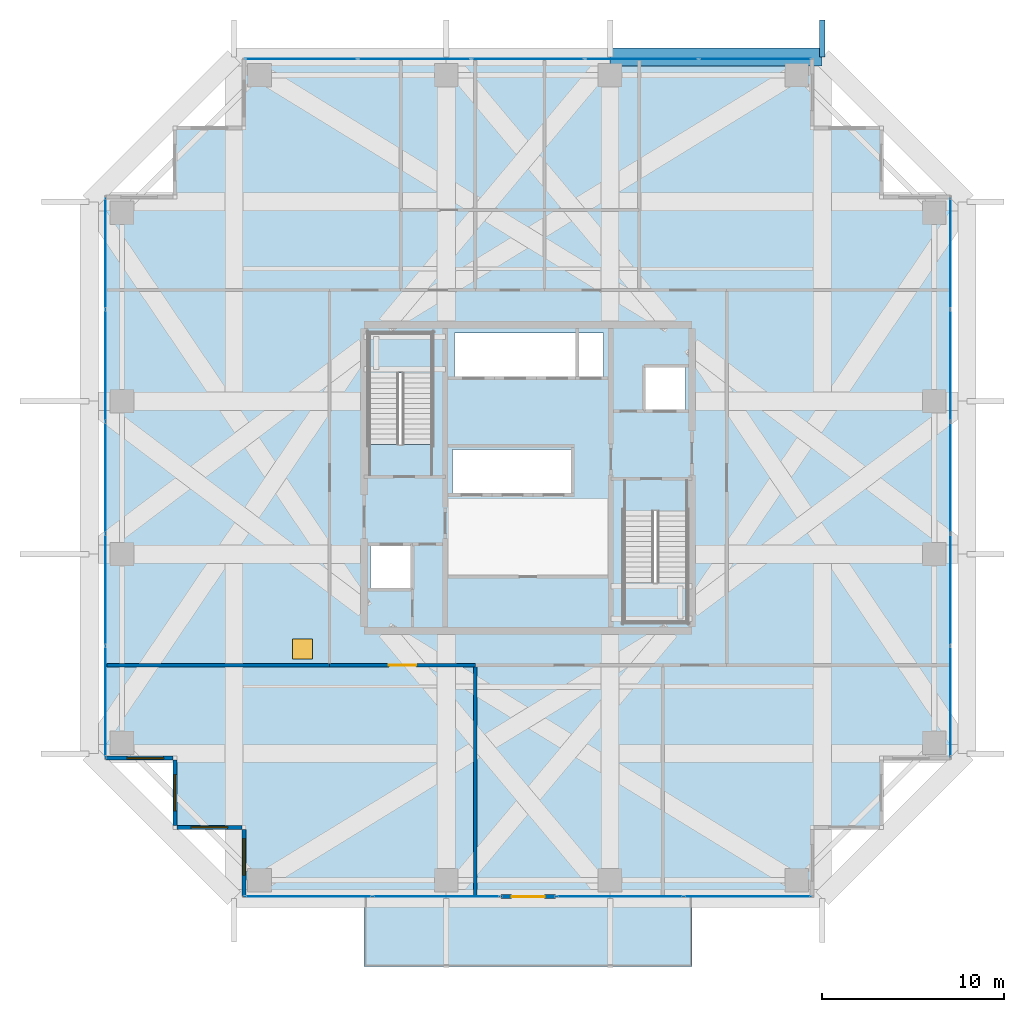
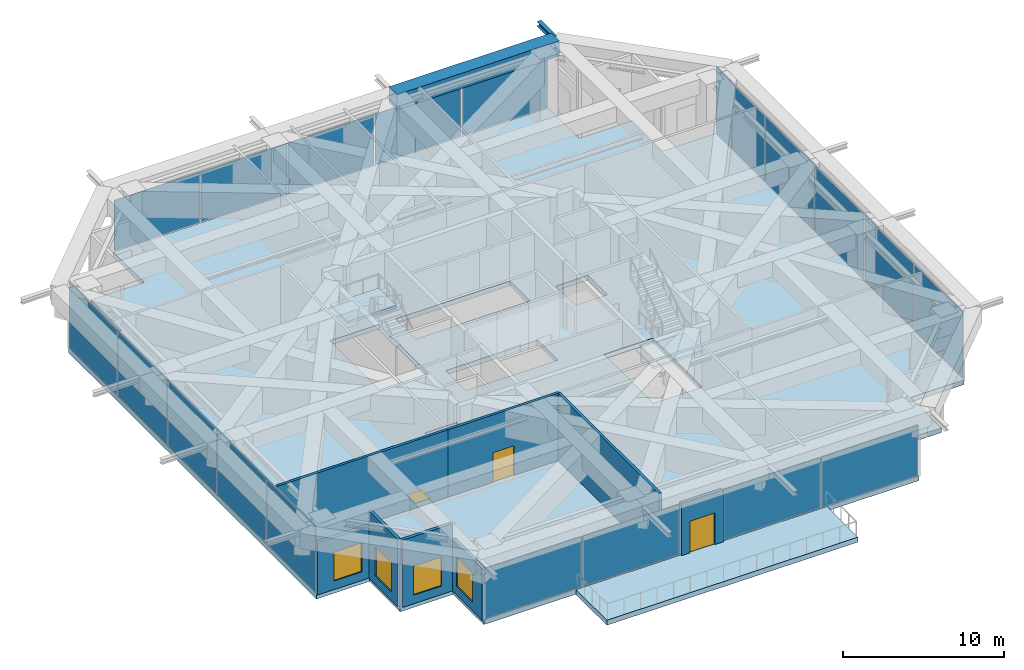
"""IFC4 building model written with IfcOpenShell, lengths in metres."""

from ifc_helpers import new_model, si_unit, direction, frame, frame_2d, origin, origin_2d, place, context, subcontext, project, spatial, polyline, rectangle, i_section, outline, extrude, source, transform, mapped, material, layer, layer_set, material_profile, profile_set, type_object, element, fill, aggregate, save


model = new_model("IFC4")

# Units and contexts
model_context = context("Model", 3, precision=1e-05, world=origin(), true_north=direction((0.0, 1.0)))
body_context = subcontext(model_context, "Body", "Model", "MODEL_VIEW")
ifc_project = project(units=[si_unit("LENGTHUNIT", "METRE"), si_unit("AREAUNIT", "SQUARE_METRE"), si_unit("VOLUMEUNIT", "CUBIC_METRE"), si_unit("PLANEANGLEUNIT", "RADIAN"), si_unit("MASSUNIT", "GRAM", prefix="KILO")], contexts=[model_context])

# Site, building, storey
site_placement = place(None, origin())
site = spatial("IfcSite", under=ifc_project, at=site_placement, CompositionType="ELEMENT")
building_placement = place(site_placement, origin())
building = spatial("IfcBuilding", under=site, at=building_placement, Name="Serunith Strait Residences", CompositionType="ELEMENT")
storey_1_placement = place(building_placement, frame((0.0, 0.0, 204.89990234375)))
storey_1 = spatial("IfcBuildingStorey", under=building, at=storey_1_placement, Name="L51", CompositionType="ELEMENT", Elevation=204.89990234375)

# Beams
ifc_material_1 = material(Name="Steel S355J2", Category="steel")
ifc_material_profile_1 = material_profile(ifc_material_1, i_section(OverallWidth=0.300048828125, OverallDepth=0.360107421875, WebThickness=0.012451171875, FlangeThickness=0.0224609375, FilletRadius=0.027099609375, at=origin_2d()), Name="HEB 360")
ifc_profile_set_1 = profile_set([ifc_material_profile_1], Name="Steel S355J2")
beam_type_1 = type_object("IfcBeamType", Name="BM-HEB360", PredefinedType="BEAM", material=ifc_profile_set_1)
shared_shape_1 = source(origin(), body_context, "Body", "SweptSolid", [
    extrude(i_section(OverallWidth=0.300048828125, OverallDepth=0.360107421875, WebThickness=0.012451171875, FlangeThickness=0.0224609375, FilletRadius=0.027099609375, at=origin_2d()), origin(), (0.0, 0.0, 1.0), 2.030029296875),
])
beam_1_placement = place(storey_1_placement, frame((48.550048828125, 48.300048828125, 4.927001953125), z_axis=(0.0, 1.0, 0.0), x_axis=(-1.0, 0.0, 0.0)))
element("IfcBeam", 1, at=beam_1_placement, inside=storey_1, type_object=beam_type_1, Name="L52 Cantilevered Balcony Rib TC-N4", PredefinedType="BEAM", context=body_context, shape_type="MappedRepresentation", body=[
    mapped(shared_shape_1, transform((0.0, 0.0, 0.0), scale=1.0)),
])
ifc_material_2 = material(Name="Concrete C80/95", Category="concrete")
ifc_material_profile_2 = material_profile(ifc_material_2, rectangle(XDim=1.0, YDim=1.14990234375, at=origin_2d()), Name="RC 1000x1150")
ifc_profile_set_2 = profile_set([ifc_material_profile_2], Name="Concrete C80/95")
beam_type_2 = type_object("IfcBeamType", Name="BM-XFER-1000x1150", PredefinedType="BEAM", material=ifc_profile_set_2)
shared_shape_2 = source(origin(), body_context, "Body", "SweptSolid", [
    extrude(rectangle(XDim=1.0, YDim=1.14990234375, at=origin_2d()), origin(), (0.0, 0.0, 1.0), 11.650146484375),
])
beam_2_placement = place(storey_1_placement, frame((48.550048828125, 48.300048828125, 4.53515625), z_axis=(-1.0, 0.0, 0.0), x_axis=(0.0, -1.0, 0.0)))
element("IfcBeam", 2, at=beam_2_placement, inside=storey_1, type_object=beam_type_2, Name="L51 Flare Upper Ring Transfer Girder 09", PredefinedType="BEAM", context=body_context, shape_type="MappedRepresentation", body=[
    mapped(shared_shape_2, transform((0.0, 0.0, 0.0), scale=1.0)),
])

# Stair, slab
ifc_material_3 = material(Name="Concrete C50/60", Category="concrete")
stair_type_1 = type_object("IfcStairType", Name="STR-CORE-1", PredefinedType="HALF_TURN_STAIR", material=ifc_material_3)
stair_1_placement = place(storey_1_placement, origin())
stair_1 = element("IfcStair", 3, at=stair_1_placement, inside=storey_1, type_object=stair_type_1, Name="L51 Protected Escape Stair ST-1", PredefinedType="HALF_TURN_STAIR")
ifc_layer_1 = layer(ifc_material_3, 0.199951171875, Name="Concrete C50/60")
ifc_layer_set_1 = layer_set([ifc_layer_1], Name="Concrete C50/60")
slab_type_1 = type_object("IfcSlabType", Name="SLB-LAND-200", PredefinedType="LANDING", material=ifc_layer_set_1)
slab_1_placement = place(storey_1_placement, frame((0.0, 0.0, 2.5751953125)))
slab_1 = element("IfcSlab", 4, at=slab_1_placement, type_object=slab_type_1, Name="ST-1 landing 1", PredefinedType="LANDING", context=body_context, shape_type="SweptSolid", body=[
    extrude(outline(polyline([(27.14990234375, 30.949951171875), (27.14990234375, 33.14990234375), (23.64990234375, 33.14990234375), (23.64990234375, 30.949951171875), (27.14990234375, 30.949951171875)])), origin(), (0.0, 0.0, 1.0), 0.199951171875),
])
aggregate(stair_1, [slab_1])

stair_type_2 = type_object("IfcStairType", Name="STR-CORE-2", PredefinedType="HALF_TURN_STAIR", material=ifc_material_3)
stair_2_placement = place(storey_1_placement, origin())
stair_2 = element("IfcStair", 5, at=stair_2_placement, inside=storey_1, type_object=stair_type_2, Name="L51 Protected Escape Stair ST-2", PredefinedType="HALF_TURN_STAIR")
slab_2_placement = place(storey_1_placement, frame((0.0, 0.0, 2.5751953125)))
slab_2 = element("IfcSlab", 6, at=slab_2_placement, type_object=slab_type_1, Name="ST-2 landing 1", PredefinedType="LANDING", context=body_context, shape_type="SweptSolid", body=[
    extrude(outline(polyline([(37.64990234375, 19.449951171875), (37.64990234375, 17.25), (41.14990234375, 17.25), (41.14990234375, 19.449951171875), (37.64990234375, 19.449951171875)])), origin(), (0.0, 0.0, 1.0), 0.199951171875),
])
aggregate(stair_2, [slab_2])

# Slab, opening
ifc_material_4 = material(Name="Concrete C70/85", Category="concrete")
ifc_layer_2 = layer(ifc_material_4, 0.360107421875, Name="Concrete C70/85")
ifc_layer_set_2 = layer_set([ifc_layer_2], Name="Concrete C70/85")
slab_type_2 = type_object("IfcSlabType", Name="SLB-PLT-360", PredefinedType="FLOOR", material=ifc_layer_set_2)
slab_3_placement = place(storey_1_placement, frame((0.0, 0.0, -0.35986328125)))
slab_3 = element("IfcSlab", 7, at=slab_3_placement, inside=storey_1, type_object=slab_type_2, Name="L51 Structural Floor Plate", PredefinedType="FLOOR", context=body_context, shape_type="SweptSolid", body=[
    extrude(outline(polyline([(16.800048828125, 6.0), (13.0, 6.0), (13.0, 9.800048828125), (9.199951171875, 9.800048828125), (9.199951171875, 40.60009765625), (13.0, 40.60009765625), (13.0, 44.39990234375), (16.800048828125, 44.39990234375), (16.800048828125, 48.199951171875), (48.0, 48.199951171875), (48.0, 44.39990234375), (51.800048828125, 44.39990234375), (51.800048828125, 40.60009765625), (55.60009765625, 40.60009765625), (55.60009765625, 9.800048828125), (51.800048828125, 9.800048828125), (51.800048828125, 6.0), (48.0, 6.0), (48.0, 2.199951171875), (16.800048828125, 2.199951171875), (16.800048828125, 6.0)]), holes=[polyline([(41.14990234375, 23.3701171875), (37.64990234375, 23.3701171875), (37.64990234375, 17.25), (41.14990234375, 17.25), (41.14990234375, 23.3701171875)]), polyline([(38.75, 31.25), (38.75, 28.85009765625), (41.050048828125, 28.85009765625), (41.050048828125, 31.25), (38.75, 31.25)]), polyline([(36.550048828125, 33.14990234375), (28.35009765625, 33.14990234375), (28.35009765625, 30.64990234375), (36.550048828125, 30.64990234375), (36.550048828125, 33.14990234375)]), polyline([(34.85009765625, 26.75), (28.25, 26.75), (28.25, 24.25), (34.85009765625, 24.25), (34.85009765625, 26.75)]), polyline([(23.64990234375, 33.14990234375), (23.64990234375, 27.030029296875), (27.14990234375, 27.030029296875), (27.14990234375, 33.14990234375), (23.64990234375, 33.14990234375)]), polyline([(26.050048828125, 21.550048828125), (23.75, 21.550048828125), (23.75, 19.14990234375), (26.050048828125, 19.14990234375), (26.050048828125, 21.550048828125)])]), origin(), (0.0, 0.0, 1.0), 0.35986328125),
])
opening_1_placement = place(slab_3_placement, frame((20.0, 15.800048828125, 0.0)))
opening_1 = element("IfcOpeningElement", 8, at=opening_1_placement, cuts=slab_3, Name="Opening RH-01", PredefinedType="OPENING", context=body_context, shape_type="SweptSolid", body=[
    extrude(rectangle(XDim=1.10009765625, YDim=1.10009765625, at=origin_2d()), frame((0.0, 0.0, -0.010009765625)), (0.0, 0.0, 1.0), 0.3798828125),
])

# Storey
storey_2_placement = place(building_placement, frame((0.0, 0.0, 198.89990234375)))
storey_2 = spatial("IfcBuildingStorey", under=building, at=storey_2_placement, Name="L50", CompositionType="ELEMENT", Elevation=198.89990234375)

# Door
ifc_material_5 = material(Name="Insulated Aluminium Roof Access Hatch", Category="aluminium")
door_type_1 = type_object("IfcDoorType", Name="HATCH-ROOF-1100", OperationType="SINGLE_SWING_LEFT", PredefinedType="TRAPDOOR", material=ifc_material_5)
door_1_placement = place(opening_1_placement, frame((0.0, 0.0, 0.31982421875)))
door_1 = element("IfcDoor", 9, at=door_1_placement, inside=storey_2, type_object=door_type_1, Name="L50 Maintenance Access Hatch 04", OperationType="SINGLE_SWING_LEFT", OverallHeight=1.10009765625, OverallWidth=1.10009765625, PredefinedType="TRAPDOOR", context=body_context, shape_type="SweptSolid", body=[
    extrude(rectangle(XDim=1.10009765625, YDim=1.10009765625, at=origin_2d()), origin(), (0.0, 0.0, 1.0), 0.0400390625),
])

fill(opening_1, door_1)

# Slab
ifc_material_6 = material(Name="Concrete C60/75", Category="concrete")
ifc_layer_3 = layer(ifc_material_6, 0.3798828125, Name="Concrete C60/75")
ifc_layer_set_3 = layer_set([ifc_layer_3], Name="Concrete C60/75")
slab_type_3 = type_object("IfcSlabType", Name="SLB-POOL-380", PredefinedType="FLOOR", material=ifc_layer_set_3)
slab_4_placement = place(storey_1_placement, frame((0.0, 0.0, -0.3798828125)))
element("IfcSlab", 10, at=slab_4_placement, inside=storey_1, type_object=slab_type_3, Name="L51 Cantilevered Strait Sky Pool Deck Slab", PredefinedType="FLOOR", context=body_context, shape_type="SweptSolid", body=[
    extrude(outline(polyline([(41.39990234375, -1.64990234375), (23.39990234375, -1.64990234375), (23.39990234375, 2.18994140625), (41.39990234375, 2.18994140625), (41.39990234375, -1.64990234375)])), origin(), (0.0, 0.0, 1.0), 0.3798828125),
])

# Curtain wall, plates
ifc_material_7 = material(Name="Pale-Silver PVDF Aluminium", Category="aluminium")
ifc_layer_4 = layer(ifc_material_7, 0.199951171875, Name="Pale-Silver PVDF Aluminium")
ifc_layer_set_4 = layer_set([ifc_layer_4], Name="Pale-Silver PVDF Aluminium")
curtain_wall_type = type_object("IfcCurtainWallType", Name="CW-SYS3", PredefinedType="NOTDEFINED", material=ifc_layer_set_4)
curtain_wall_1_placement = place(storey_1_placement, origin())
curtain_wall_1 = element("IfcCurtainWall", 11, at=curtain_wall_1_placement, inside=storey_1, type_object=curtain_wall_type, Name="L51 S Unitised Fritted Curtain Wall", PredefinedType="NOTDEFINED")
ifc_material_8 = material(Name="High-Selectivity Acoustic Laminated Glazing 32mm", Category="glass")
ifc_layer_5 = layer(ifc_material_8, 0.031982421875, Name="High-Selectivity Acoustic Laminated Glazing 32mm")
ifc_layer_set_5 = layer_set([ifc_layer_5], Name="High-Selectivity Acoustic Laminated Glazing 32mm")
plate_type = type_object("IfcPlateType", Name="CW-SYS3-PNL", PredefinedType="CURTAIN_PANEL", material=ifc_layer_set_5)
shared_shape_3 = source(origin(), body_context, "Body", "SweptSolid", [
    extrude(rectangle(XDim=6.9375, YDim=0.031982421875, at=origin_2d()), origin(), (0.0, 0.0, 1.0), 3.824951171875),
])
plate_1_placement = place(storey_1_placement, frame((20.34375, 2.199951171875, 0.06005859375), z_axis=(0.0, 0.0, 1.0), x_axis=(1.0, 0.0, 0.0)))
plate_1 = element("IfcPlate", 12, at=plate_1_placement, type_object=plate_type, Name="CW-3 panel 1.1", PredefinedType="CURTAIN_PANEL", context=body_context, shape_type="MappedRepresentation", body=[
    mapped(shared_shape_3, transform((0.0, 0.0, 0.0), scale=1.0)),
])
plate_2_placement = place(storey_1_placement, frame((27.356201171875, 2.199951171875, 0.06005859375), z_axis=(0.0, 0.0, 1.0), x_axis=(1.0, 0.0, 0.0)))
plate_2 = element("IfcPlate", 13, at=plate_2_placement, type_object=plate_type, Name="CW-3 panel 2.1", PredefinedType="CURTAIN_PANEL", context=body_context, shape_type="MappedRepresentation", body=[
    mapped(shared_shape_3, transform((0.0, 0.0, 0.0), scale=1.0)),
])
aggregate(curtain_wall_1, [plate_1, plate_2])

curtain_wall_2_placement = place(storey_1_placement, origin())
curtain_wall_2 = element("IfcCurtainWall", 14, at=curtain_wall_2_placement, inside=storey_1, type_object=curtain_wall_type, Name="L51 S Unitised Fritted Curtain Wall", PredefinedType="NOTDEFINED")
plate_3_placement = place(storey_1_placement, frame((37.44384765625, 2.199951171875, 0.06005859375), z_axis=(0.0, 0.0, 1.0), x_axis=(1.0, 0.0, 0.0)))
plate_3 = element("IfcPlate", 15, at=plate_3_placement, type_object=plate_type, Name="CW-3 panel 1.1", PredefinedType="CURTAIN_PANEL", context=body_context, shape_type="MappedRepresentation", body=[
    mapped(shared_shape_3, transform((0.0, 0.0, 0.0), scale=1.0)),
])
plate_4_placement = place(storey_1_placement, frame((44.456298828125, 2.199951171875, 0.06005859375), z_axis=(0.0, 0.0, 1.0), x_axis=(1.0, 0.0, 0.0)))
plate_4 = element("IfcPlate", 16, at=plate_4_placement, type_object=plate_type, Name="CW-3 panel 2.1", PredefinedType="CURTAIN_PANEL", context=body_context, shape_type="MappedRepresentation", body=[
    mapped(shared_shape_3, transform((0.0, 0.0, 0.0), scale=1.0)),
])
aggregate(curtain_wall_2, [plate_3, plate_4])

curtain_wall_3_placement = place(storey_1_placement, origin())
curtain_wall_3 = element("IfcCurtainWall", 17, at=curtain_wall_3_placement, inside=storey_1, type_object=curtain_wall_type, Name="L51 E Unitised Fritted Curtain Wall", PredefinedType="NOTDEFINED")
shared_shape_4 = source(origin(), body_context, "Body", "SweptSolid", [
    extrude(rectangle(XDim=6.047607421875, YDim=0.031982421875, at=origin_2d()), origin(), (0.0, 0.0, 1.0), 4.97509765625),
])
plate_5_placement = place(storey_1_placement, frame((55.60009765625, 12.898681640625, 0.06005859375), z_axis=(0.0, 0.0, 1.0), x_axis=(0.0, 1.0, 0.0)))
plate_5 = element("IfcPlate", 18, at=plate_5_placement, type_object=plate_type, Name="CW-3 panel 1.1", PredefinedType="CURTAIN_PANEL", context=body_context, shape_type="MappedRepresentation", body=[
    mapped(shared_shape_4, transform((0.0, 0.0, 0.0), scale=1.0)),
])
plate_6_placement = place(storey_1_placement, frame((55.60009765625, 37.501220703125, 0.06005859375), z_axis=(0.0, 0.0, 1.0), x_axis=(0.0, 1.0, 0.0)))
plate_6 = element("IfcPlate", 19, at=plate_6_placement, type_object=plate_type, Name="CW-3 panel 5.1", PredefinedType="CURTAIN_PANEL", context=body_context, shape_type="MappedRepresentation", body=[
    mapped(shared_shape_4, transform((0.0, 0.0, 0.0), scale=1.0)),
])

curtain_wall_4_placement = place(storey_1_placement, origin())
curtain_wall_4 = element("IfcCurtainWall", 20, at=curtain_wall_4_placement, inside=storey_1, type_object=curtain_wall_type, Name="L51 W Unitised Fritted Curtain Wall", PredefinedType="NOTDEFINED")
plate_7_placement = place(storey_1_placement, frame((9.199951171875, 37.501220703125, 0.06005859375), z_axis=(0.0, 0.0, 1.0), x_axis=(0.0, -1.0, 0.0)))
plate_7 = element("IfcPlate", 21, at=plate_7_placement, type_object=plate_type, Name="CW-3 panel 1.1", PredefinedType="CURTAIN_PANEL", context=body_context, shape_type="MappedRepresentation", body=[
    mapped(shared_shape_4, transform((0.0, 0.0, 0.0), scale=1.0)),
])
plate_8_placement = place(storey_1_placement, frame((9.199951171875, 12.898681640625, 0.06005859375), z_axis=(0.0, 0.0, 1.0), x_axis=(0.0, -1.0, 0.0)))
plate_8 = element("IfcPlate", 22, at=plate_8_placement, type_object=plate_type, Name="CW-3 panel 5.1", PredefinedType="CURTAIN_PANEL", context=body_context, shape_type="MappedRepresentation", body=[
    mapped(shared_shape_4, transform((0.0, 0.0, 0.0), scale=1.0)),
])

# Plate
shared_shape_5 = source(origin(), body_context, "Body", "SweptSolid", [
    extrude(rectangle(XDim=6.0849609375, YDim=0.031982421875, at=origin_2d()), origin(), (0.0, 0.0, 1.0), 4.97509765625),
])
plate_9_placement = place(storey_1_placement, frame((55.60009765625, 19.0400390625, 0.06005859375), z_axis=(0.0, 0.0, 1.0), x_axis=(0.0, 1.0, 0.0)))
plate_9 = element("IfcPlate", 23, at=plate_9_placement, type_object=plate_type, Name="CW-3 panel 2.1", PredefinedType="CURTAIN_PANEL", context=body_context, shape_type="MappedRepresentation", body=[
    mapped(shared_shape_5, transform((0.0, 0.0, 0.0), scale=1.0)),
])

plate_10_placement = place(storey_1_placement, frame((55.60009765625, 25.199951171875, 0.06005859375), z_axis=(0.0, 0.0, 1.0), x_axis=(0.0, 1.0, 0.0)))
plate_10 = element("IfcPlate", 24, at=plate_10_placement, type_object=plate_type, Name="CW-3 panel 3.1", PredefinedType="CURTAIN_PANEL", context=body_context, shape_type="MappedRepresentation", body=[
    mapped(shared_shape_5, transform((0.0, 0.0, 0.0), scale=1.0)),
])

plate_11_placement = place(storey_1_placement, frame((55.60009765625, 31.360107421875, 0.06005859375), z_axis=(0.0, 0.0, 1.0), x_axis=(0.0, 1.0, 0.0)))
plate_11 = element("IfcPlate", 25, at=plate_11_placement, type_object=plate_type, Name="CW-3 panel 4.1", PredefinedType="CURTAIN_PANEL", context=body_context, shape_type="MappedRepresentation", body=[
    mapped(shared_shape_5, transform((0.0, 0.0, 0.0), scale=1.0)),
])

aggregate(curtain_wall_3, [plate_5, plate_9, plate_10, plate_11, plate_6])

plate_12_placement = place(storey_1_placement, frame((9.199951171875, 31.360107421875, 0.06005859375), z_axis=(0.0, 0.0, 1.0), x_axis=(0.0, -1.0, 0.0)))
plate_12 = element("IfcPlate", 26, at=plate_12_placement, type_object=plate_type, Name="CW-3 panel 2.1", PredefinedType="CURTAIN_PANEL", context=body_context, shape_type="MappedRepresentation", body=[
    mapped(shared_shape_5, transform((0.0, 0.0, 0.0), scale=1.0)),
])

plate_13_placement = place(storey_1_placement, frame((9.199951171875, 25.199951171875, 0.06005859375), z_axis=(0.0, 0.0, 1.0), x_axis=(0.0, -1.0, 0.0)))
plate_13 = element("IfcPlate", 27, at=plate_13_placement, type_object=plate_type, Name="CW-3 panel 3.1", PredefinedType="CURTAIN_PANEL", context=body_context, shape_type="MappedRepresentation", body=[
    mapped(shared_shape_5, transform((0.0, 0.0, 0.0), scale=1.0)),
])

plate_14_placement = place(storey_1_placement, frame((9.199951171875, 19.0400390625, 0.06005859375), z_axis=(0.0, 0.0, 1.0), x_axis=(0.0, -1.0, 0.0)))
plate_14 = element("IfcPlate", 28, at=plate_14_placement, type_object=plate_type, Name="CW-3 panel 4.1", PredefinedType="CURTAIN_PANEL", context=body_context, shape_type="MappedRepresentation", body=[
    mapped(shared_shape_5, transform((0.0, 0.0, 0.0), scale=1.0)),
])

aggregate(curtain_wall_4, [plate_7, plate_12, plate_13, plate_14, plate_8])

# Curtain wall, plates
curtain_wall_5_placement = place(storey_1_placement, origin())
curtain_wall_5 = element("IfcCurtainWall", 29, at=curtain_wall_5_placement, inside=storey_1, type_object=curtain_wall_type, Name="L51 N Unitised Fritted Curtain Wall", PredefinedType="NOTDEFINED")
shared_shape_6 = source(origin(), body_context, "Body", "SweptSolid", [
    extrude(rectangle(XDim=6.12744140625, YDim=0.031982421875, at=origin_2d()), origin(), (0.0, 0.0, 1.0), 3.824951171875),
])
plate_15_placement = place(storey_1_placement, frame((44.861328125, 48.199951171875, 0.06005859375), z_axis=(0.0, 0.0, 1.0), x_axis=(-1.0, 0.0, 0.0)))
plate_15 = element("IfcPlate", 30, at=plate_15_placement, type_object=plate_type, Name="CW-3 panel 1.1", PredefinedType="CURTAIN_PANEL", context=body_context, shape_type="MappedRepresentation", body=[
    mapped(shared_shape_6, transform((0.0, 0.0, 0.0), scale=1.0)),
])
plate_16_placement = place(storey_1_placement, frame((19.938720703125, 48.199951171875, 0.06005859375), z_axis=(0.0, 0.0, 1.0), x_axis=(-1.0, 0.0, 0.0)))
plate_16 = element("IfcPlate", 31, at=plate_16_placement, type_object=plate_type, Name="CW-3 panel 5.1", PredefinedType="CURTAIN_PANEL", context=body_context, shape_type="MappedRepresentation", body=[
    mapped(shared_shape_6, transform((0.0, 0.0, 0.0), scale=1.0)),
])
shared_shape_7 = source(origin(), body_context, "Body", "SweptSolid", [
    extrude(rectangle(XDim=6.1650390625, YDim=0.031982421875, at=origin_2d()), origin(), (0.0, 0.0, 1.0), 3.824951171875),
])
plate_17_placement = place(storey_1_placement, frame((38.639892578125, 48.199951171875, 0.06005859375), z_axis=(0.0, 0.0, 1.0), x_axis=(-1.0, 0.0, 0.0)))
plate_17 = element("IfcPlate", 32, at=plate_17_placement, type_object=plate_type, Name="CW-3 panel 2.1", PredefinedType="CURTAIN_PANEL", context=body_context, shape_type="MappedRepresentation", body=[
    mapped(shared_shape_7, transform((0.0, 0.0, 0.0), scale=1.0)),
])
plate_18_placement = place(storey_1_placement, frame((32.39990234375, 48.199951171875, 0.06005859375), z_axis=(0.0, 0.0, 1.0), x_axis=(-1.0, 0.0, 0.0)))
plate_18 = element("IfcPlate", 33, at=plate_18_placement, type_object=plate_type, Name="CW-3 panel 3.1", PredefinedType="CURTAIN_PANEL", context=body_context, shape_type="MappedRepresentation", body=[
    mapped(shared_shape_7, transform((0.0, 0.0, 0.0), scale=1.0)),
])
plate_19_placement = place(storey_1_placement, frame((26.159912109375, 48.199951171875, 0.06005859375), z_axis=(0.0, 0.0, 1.0), x_axis=(-1.0, 0.0, 0.0)))
plate_19 = element("IfcPlate", 34, at=plate_19_placement, type_object=plate_type, Name="CW-3 panel 4.1", PredefinedType="CURTAIN_PANEL", context=body_context, shape_type="MappedRepresentation", body=[
    mapped(shared_shape_7, transform((0.0, 0.0, 0.0), scale=1.0)),
])
aggregate(curtain_wall_5, [plate_15, plate_17, plate_18, plate_19, plate_16])

# Wall, opening, door
ifc_material_9 = material(Name="Pale-Champagne Aluminium Insulated Panel", Category="aluminium")
ifc_layer_6 = layer(ifc_material_9, 0.219970703125, Name="Pale-Champagne Aluminium Insulated Panel")
ifc_layer_set_6 = layer_set([ifc_layer_6], Name="Pale-Champagne Aluminium Insulated Panel")
wall_type_1 = type_object("IfcWallType", Name="EW-ALUM-220", PredefinedType="ELEMENTEDWALL", material=ifc_layer_set_6)
wall_1_placement = place(storey_1_placement, frame((30.89990234375, 2.199951171875, 0.0), z_axis=(0.0, 0.0, 1.0), x_axis=(1.0, 0.0, 0.0)))
wall_1 = element("IfcWall", 35, at=wall_1_placement, inside=storey_1, type_object=wall_type_1, Name="L51 S Facade Pier Wall", PredefinedType="ELEMENTEDWALL", context=body_context, shape_type="SweptSolid", body=[
    extrude(rectangle(XDim=3.0, YDim=0.219970703125, at=frame_2d((1.5, 0.0))), origin(), (0.0, 0.0, 1.0), 3.945068359375),
])
opening_2_placement = place(wall_1_placement, frame((0.60009765625, 0.0, 0.0)))
opening_2 = element("IfcOpeningElement", 36, at=opening_2_placement, cuts=wall_1, Name="Opening ED-05", PredefinedType="OPENING", context=body_context, shape_type="SweptSolid", body=[
    extrude(rectangle(XDim=1.800048828125, YDim=2.39990234375, at=frame_2d((0.89990234375, 1.199951171875))), frame((0.0, 0.1201171875, 0.0), z_axis=(0.0, -1.0, 0.0), x_axis=(1.0, 0.0, 0.0)), (0.0, 0.0, 1.0), 0.239990234375),
])
ifc_material_10 = material(Name="Marine-Grade Stainless Glazed Pool Deck Door")
door_type_2 = type_object("IfcDoorType", Name="ED-POOL-1800", OperationType="NOTDEFINED", PredefinedType="DOOR", material=ifc_material_10)
shared_shape_8 = source(origin(), body_context, "Body", "SweptSolid", [
    extrude(rectangle(XDim=1.800048828125, YDim=2.39990234375, at=frame_2d((0.89990234375, 1.199951171875))), frame((0.0, 0.02490234375, 0.0), z_axis=(0.0, -1.0, 0.0), x_axis=(1.0, 0.0, 0.0)), (0.0, 0.0, 1.0), 0.050048828125),
])
door_2_placement = place(opening_2_placement, origin())
door_2 = element("IfcDoor", 37, at=door_2_placement, inside=storey_1, type_object=door_type_2, Name="L51 Strait Sky-Pool Deck Access Door", OperationType="DOUBLE_DOOR_SINGLE_SWING", OverallHeight=2.39990234375, OverallWidth=1.800048828125, PredefinedType="DOOR", context=body_context, shape_type="MappedRepresentation", body=[
    mapped(shared_shape_8, transform((0.0, 0.0, 0.0), scale=1.0)),
])
fill(opening_2, door_2)

# Wall, opening, window
wall_2_placement = place(storey_1_placement, frame((9.199951171875, 9.800048828125, 0.0), z_axis=(0.0, 0.0, 1.0), x_axis=(1.0, 0.0, 0.0)))
wall_2 = element("IfcWall", 38, at=wall_2_placement, inside=storey_1, type_object=wall_type_1, Name="L51 Girih Serrated Corner Wall 17", PredefinedType="ELEMENTEDWALL", context=body_context, shape_type="SweptSolid", body=[
    extrude(rectangle(XDim=3.68994140625, YDim=0.219970703125, at=frame_2d((1.844970703125, 0.0))), origin(), (0.0, 0.0, 1.0), 3.945068359375),
])
opening_3_placement = place(wall_2_placement, frame((1.18310546875, 0.0, 0.64990234375)))
opening_3 = element("IfcOpeningElement", 39, at=opening_3_placement, cuts=wall_2, Name="Opening W-04", PredefinedType="OPENING", context=body_context, shape_type="SweptSolid", body=[
    extrude(rectangle(XDim=2.0, YDim=2.199951171875, at=frame_2d((1.0, 1.10009765625))), frame((0.0, 0.1201171875, 0.0), z_axis=(0.0, -1.0, 0.0), x_axis=(1.0, 0.0, 0.0)), (0.0, 0.0, 1.0), 0.239990234375),
])
ifc_material_11 = material(Name="Ceramic-Fritted Operable Aluminium Window Glass", Category="aluminium")
window_type = type_object("IfcWindowType", Name="WIN-C4", PartitioningType="TRIPLE_PANEL_VERTICAL", PredefinedType="WINDOW", material=ifc_material_11)
shared_shape_9 = source(origin(), body_context, "Body", "SweptSolid", [
    extrude(rectangle(XDim=2.0, YDim=2.199951171875, at=frame_2d((1.0, 1.10009765625))), frame((0.0, 0.030029296875, 0.0), z_axis=(0.0, -1.0, 0.0), x_axis=(1.0, 0.0, 0.0)), (0.0, 0.0, 1.0), 0.06005859375),
])
window_1_placement = place(opening_3_placement, origin())
window_1 = element("IfcWindow", 40, at=window_1_placement, inside=storey_1, type_object=window_type, Name="L51 Corner Operable Fritted Window 17", OverallHeight=2.199951171875, OverallWidth=2.0, PartitioningType="SINGLE_PANEL", PredefinedType="WINDOW", context=body_context, shape_type="MappedRepresentation", body=[
    mapped(shared_shape_9, transform((0.0, 0.0, 0.0), scale=1.0)),
])
fill(opening_3, window_1)

wall_3_placement = place(storey_1_placement, frame((13.0, 9.68994140625, 0.0), z_axis=(0.0, 0.0, 1.0), x_axis=(0.0, -1.0, 0.0)))
wall_3 = element("IfcWall", 41, at=wall_3_placement, inside=storey_1, type_object=wall_type_1, Name="L51 Girih Serrated Corner Wall 18", PredefinedType="ELEMENTEDWALL", context=body_context, shape_type="SweptSolid", body=[
    extrude(rectangle(XDim=3.579833984375, YDim=0.219970703125, at=frame_2d((1.7900390625, 0.0))), origin(), (0.0, 0.0, 1.0), 5.09521484375),
])
opening_4_placement = place(wall_3_placement, frame((0.7900390625, 0.0, 0.64990234375)))
opening_4 = element("IfcOpeningElement", 42, at=opening_4_placement, cuts=wall_3, Name="Opening W-04", PredefinedType="OPENING", context=body_context, shape_type="SweptSolid", body=[
    extrude(rectangle(XDim=2.0, YDim=2.199951171875, at=frame_2d((1.0, 1.10009765625))), frame((0.0, 0.1201171875, 0.0), z_axis=(0.0, -1.0, 0.0), x_axis=(1.0, 0.0, 0.0)), (0.0, 0.0, 1.0), 0.239990234375),
])
window_2_placement = place(opening_4_placement, origin())
window_2 = element("IfcWindow", 43, at=window_2_placement, inside=storey_1, type_object=window_type, Name="L51 Corner Operable Fritted Window 18", OverallHeight=2.199951171875, OverallWidth=2.0, PartitioningType="SINGLE_PANEL", PredefinedType="WINDOW", context=body_context, shape_type="MappedRepresentation", body=[
    mapped(shared_shape_9, transform((0.0, 0.0, 0.0), scale=1.0)),
])
fill(opening_4, window_2)

wall_4_placement = place(storey_1_placement, frame((13.110107421875, 6.0, 0.0), z_axis=(0.0, 0.0, 1.0), x_axis=(1.0, 0.0, 0.0)))
wall_4 = element("IfcWall", 44, at=wall_4_placement, inside=storey_1, type_object=wall_type_1, Name="L51 Girih Serrated Corner Wall 19", PredefinedType="ELEMENTEDWALL", context=body_context, shape_type="SweptSolid", body=[
    extrude(rectangle(XDim=3.579833984375, YDim=0.219970703125, at=frame_2d((1.7900390625, 0.0))), origin(), (0.0, 0.0, 1.0), 5.09521484375),
])
opening_5_placement = place(wall_4_placement, frame((0.7900390625, 0.0, 0.64990234375)))
opening_5 = element("IfcOpeningElement", 45, at=opening_5_placement, cuts=wall_4, Name="Opening W-04", PredefinedType="OPENING", context=body_context, shape_type="SweptSolid", body=[
    extrude(rectangle(XDim=2.0, YDim=2.199951171875, at=frame_2d((1.0, 1.10009765625))), frame((0.0, 0.1201171875, 0.0), z_axis=(0.0, -1.0, 0.0), x_axis=(1.0, 0.0, 0.0)), (0.0, 0.0, 1.0), 0.239990234375),
])
window_3_placement = place(opening_5_placement, origin())
window_3 = element("IfcWindow", 46, at=window_3_placement, inside=storey_1, type_object=window_type, Name="L51 Corner Operable Fritted Window 19", OverallHeight=2.199951171875, OverallWidth=2.0, PartitioningType="SINGLE_PANEL", PredefinedType="WINDOW", context=body_context, shape_type="MappedRepresentation", body=[
    mapped(shared_shape_9, transform((0.0, 0.0, 0.0), scale=1.0)),
])
fill(opening_5, window_3)

wall_5_placement = place(storey_1_placement, frame((16.800048828125, 5.889892578125, 0.0), z_axis=(0.0, 0.0, 1.0), x_axis=(0.0, -1.0, 0.0)))
wall_5 = element("IfcWall", 47, at=wall_5_placement, inside=storey_1, type_object=wall_type_1, Name="L51 Girih Serrated Corner Wall 20", PredefinedType="ELEMENTEDWALL", context=body_context, shape_type="SweptSolid", body=[
    extrude(rectangle(XDim=3.68994140625, YDim=0.219970703125, at=frame_2d((1.844970703125, 0.0))), origin(), (0.0, 0.0, 1.0), 3.945068359375),
])
opening_6_placement = place(wall_5_placement, frame((0.507080078125, 0.0, 0.64990234375)))
opening_6 = element("IfcOpeningElement", 48, at=opening_6_placement, cuts=wall_5, Name="Opening W-04", PredefinedType="OPENING", context=body_context, shape_type="SweptSolid", body=[
    extrude(rectangle(XDim=2.0, YDim=2.199951171875, at=frame_2d((1.0, 1.10009765625))), frame((0.0, 0.1201171875, 0.0), z_axis=(0.0, -1.0, 0.0), x_axis=(1.0, 0.0, 0.0)), (0.0, 0.0, 1.0), 0.239990234375),
])
window_4_placement = place(opening_6_placement, origin())
window_4 = element("IfcWindow", 49, at=window_4_placement, inside=storey_1, type_object=window_type, Name="L51 Corner Operable Fritted Window 20", OverallHeight=2.199951171875, OverallWidth=2.0, PartitioningType="SINGLE_PANEL", PredefinedType="WINDOW", context=body_context, shape_type="MappedRepresentation", body=[
    mapped(shared_shape_9, transform((0.0, 0.0, 0.0), scale=1.0)),
])
fill(opening_6, window_4)

# Walls
ifc_material_12 = material(Name="Fire-rated acoustic gypsum partition")
ifc_layer_7 = layer(ifc_material_12, 0.179931640625, Name="Fire-rated acoustic gypsum partition")
ifc_layer_set_7 = layer_set([ifc_layer_7], Name="Fire-rated acoustic gypsum partition")
wall_type_2 = type_object("IfcWallType", Name="IW-CORR-180", PredefinedType="PARTITIONING", material=ifc_layer_set_7)
wall_6_placement = place(storey_1_placement, frame((9.281982421875, 14.89990234375, 0.0), z_axis=(0.0, 0.0, 1.0), x_axis=(1.0, 0.0, 0.0)))
element("IfcWall", 50, at=wall_6_placement, inside=storey_1, type_object=wall_type_2, Name="L51 Partition Wall 014", PredefinedType="PARTITIONING", context=body_context, shape_type="SweptSolid", body=[
    extrude(rectangle(XDim=12.218017578125, YDim=0.179931640625, at=frame_2d((6.10888671875, 0.0))), origin(), (0.0, 0.0, 1.0), 5.110107421875),
])
wall_7_placement = place(storey_1_placement, frame((29.5, 2.281982421875, 0.0), z_axis=(0.0, 0.0, 1.0), x_axis=(0.0, 1.0, 0.0)))
element("IfcWall", 51, at=wall_7_placement, inside=storey_1, type_object=wall_type_2, Name="L51 Partition Wall 020", PredefinedType="PARTITIONING", context=body_context, shape_type="SweptSolid", body=[
    extrude(rectangle(XDim=12.617919921875, YDim=0.179931640625, at=frame_2d((6.30908203125, 0.0))), origin(), (0.0, 0.0, 1.0), 5.110107421875),
])

# Wall, opening, door
wall_8_placement = place(storey_1_placement, frame((21.501953125, 14.89990234375, 0.0), z_axis=(0.0, 0.0, 1.0), x_axis=(1.0, 0.0, 0.0)))
wall_8 = element("IfcWall", 52, at=wall_8_placement, inside=storey_1, type_object=wall_type_2, Name="L51 Partition Wall 026", PredefinedType="PARTITIONING", context=body_context, shape_type="SweptSolid", body=[
    extrude(rectangle(XDim=7.998046875, YDim=0.179931640625, at=frame_2d((3.9990234375, 0.0))), origin(), (0.0, 0.0, 1.0), 5.110107421875),
])
opening_7_placement = place(wall_8_placement, frame((3.2490234375, 0.0, 0.0)))
opening_7 = element("IfcOpeningElement", 53, at=opening_7_placement, cuts=wall_8, Name="Opening D-POD1500", PredefinedType="OPENING", context=body_context, shape_type="SweptSolid", body=[
    extrude(rectangle(XDim=1.5, YDim=2.25, at=frame_2d((0.75, 1.125))), frame((0.0, 0.10009765625, 0.0), z_axis=(0.0, -1.0, 0.0), x_axis=(1.0, 0.0, 0.0)), (0.0, 0.0, 1.0), 0.199951171875),
])
ifc_material_13 = material(Name="Pale-champagne aluminium glazed double door", Category="aluminium")
door_type_3 = type_object("IfcDoorType", Name="ID-POD-1500", OperationType="DOUBLE_DOOR_SINGLE_SWING", PredefinedType="DOOR", material=ifc_material_13)
shared_shape_10 = source(origin(), body_context, "Body", "SweptSolid", [
    extrude(rectangle(XDim=1.5, YDim=2.25, at=frame_2d((0.75, 1.125))), frame((0.0, 0.02490234375, 0.0), z_axis=(0.0, -1.0, 0.0), x_axis=(1.0, 0.0, 0.0)), (0.0, 0.0, 1.0), 0.050048828125),
])
door_3_placement = place(opening_7_placement, origin())
door_3 = element("IfcDoor", 54, at=door_3_placement, inside=storey_1, type_object=door_type_3, Name="L51 South-West Suite Door", OperationType="DOUBLE_DOOR_SINGLE_SWING", OverallHeight=2.25, OverallWidth=1.5, PredefinedType="DOOR", context=body_context, shape_type="MappedRepresentation", body=[
    mapped(shared_shape_10, transform((0.0, 0.0, 0.0), scale=1.0)),
])
fill(opening_7, door_3)

save(model, "model.ifc")
